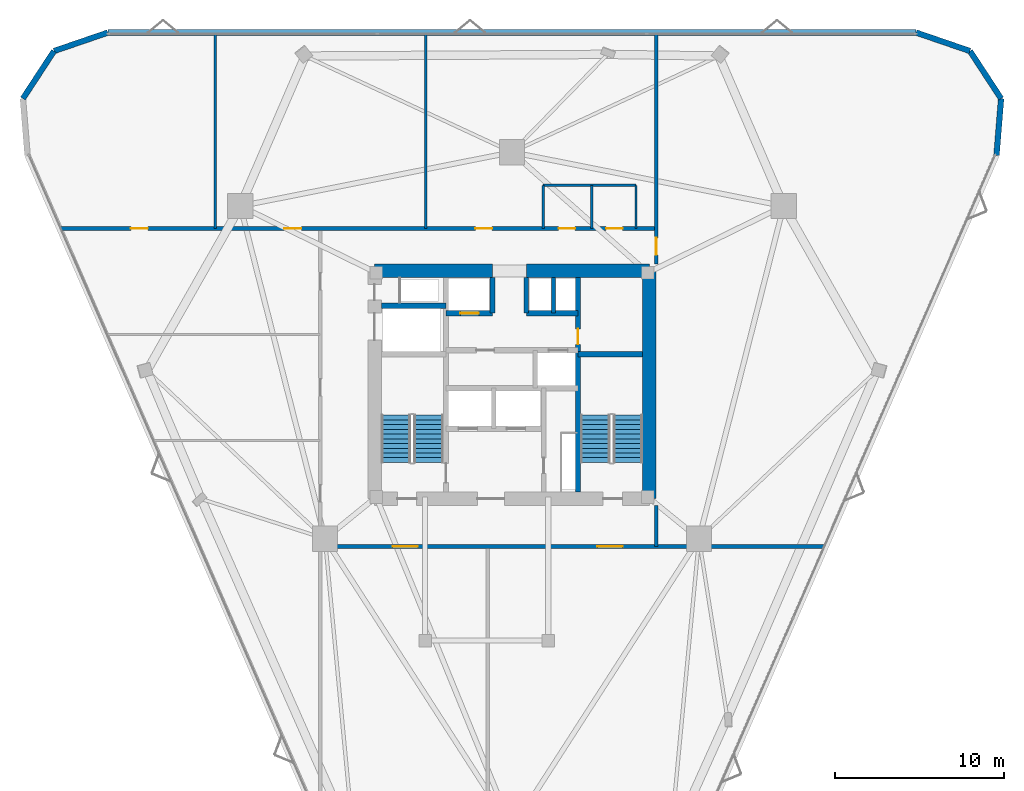
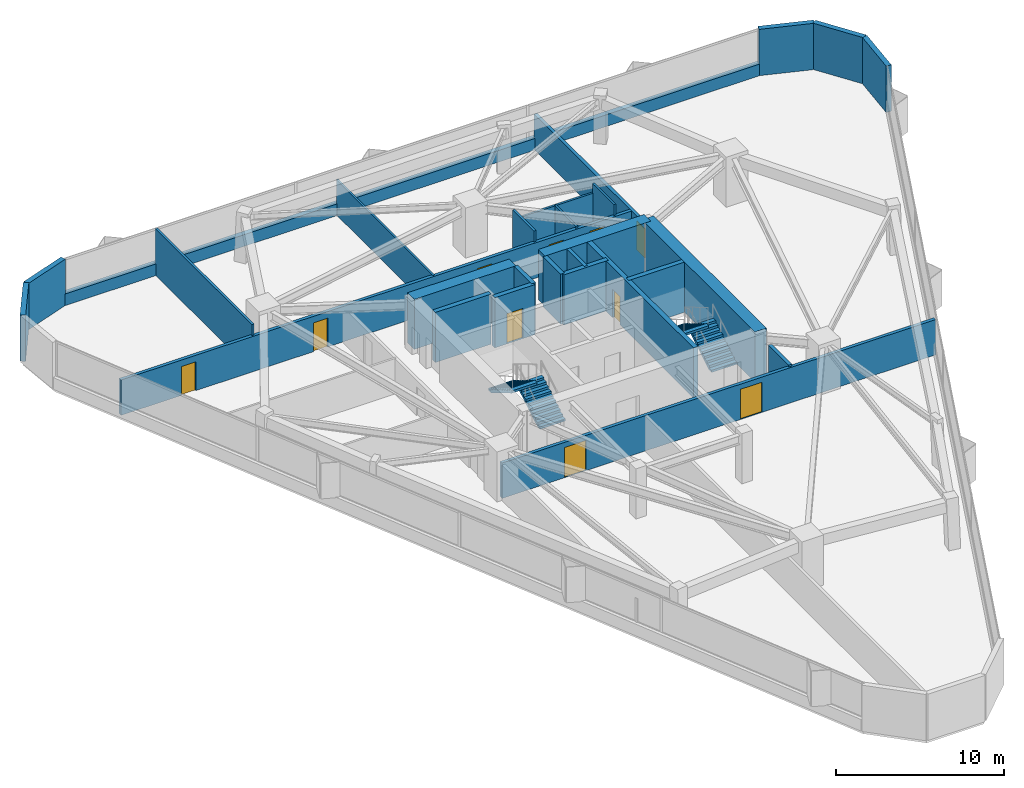
# One storey, part 13 of 14: 27 walls, 10 doors, 4 stair flights, 10 openings, 2 elements without a shape of their own.
"""IFC4 building model written with IfcOpenShell, lengths in metres."""

import ifcopenshell
import ifcopenshell.guid

model = None  # the IFC model being written
_history = None  # IfcOwnerHistory: only IFC2X3 demands one
_inside = {}  # id of a spatial element -> (the spatial element, [elements in it])
_under = {}  # id of a project, library or spatial element -> (it, [spatial elements below it])
_declared = {}  # id of a project -> (the project, [libraries it declares])
_typed = {}  # id of a type object -> (the type object, [elements of that type])
_made_of = {}  # id of a material, layer set ... -> (it, [elements and type objects made of it])


def new_model(schema):
    """Start an empty IFC model of exactly this schema.

    Asked for "IFC4X3", IfcOpenShell would pick the latest addendum, in which some entities
    have other attributes; the version numbers below select the first issue.
    IFC2X3 requires an IfcOwnerHistory on every rooted entity: one is made here for all.
    """
    global model, _history
    if schema == "IFC4X3":
        model = ifcopenshell.file(schema_version=(4, 3, 0, 0))
    else:
        model = ifcopenshell.file(schema=schema)
    _inside.clear()
    _under.clear()
    _declared.clear()
    _typed.clear()
    _made_of.clear()
    _history = None
    if model.schema == "IFC2X3":
        org = make("IfcOrganization", Name="unknown")
        user = make(
            "IfcPersonAndOrganization",
            ThePerson=make("IfcPerson", FamilyName="unknown"),
            TheOrganization=org,
        )
        app = make(
            "IfcApplication",
            ApplicationDeveloper=org,
            Version="unknown",
            ApplicationFullName="unknown",
            ApplicationIdentifier="unknown",
        )
        _history = make(
            "IfcOwnerHistory",
            OwningUser=user,
            OwningApplication=app,
            ChangeAction="ADDED",
            CreationDate=0,
        )
    return model


def make(cls, **values):
    """One entity of the class cls with the attributes given. An attribute that is None is left unset."""
    return model.create_entity(
        cls, **{name: value for name, value in values.items() if value is not None}
    )


def rooted(cls, **values):
    """An entity with a GlobalId (a new one), such as an element, a storey or a relation."""
    return make(cls, GlobalId=ifcopenshell.guid.new(), OwnerHistory=_history, **values)


def si_unit(unit_type, name, prefix=None):
    """IfcSIUnit, for example si_unit("LENGTHUNIT", "METRE", prefix="MILLI")."""
    return make("IfcSIUnit", UnitType=unit_type, Prefix=prefix, Name=name)


def assignment(units):
    """IfcUnitAssignment: the units of a project."""
    return None if units is None else make("IfcUnitAssignment", Units=units)


def point(xyz):
    """IfcCartesianPoint."""
    return None if xyz is None else make("IfcCartesianPoint", Coordinates=xyz)


def direction(xyz):
    """IfcDirection."""
    return None if xyz is None else make("IfcDirection", DirectionRatios=xyz)


def frame(location, z_axis=None, x_axis=None):
    """IfcAxis2Placement3D, a coordinate frame: its origin and axes. An axis left out is left unset."""
    return make(
        "IfcAxis2Placement3D",
        Location=point(location),
        Axis=direction(z_axis),
        RefDirection=direction(x_axis),
    )


def frame_2d(location, x_axis=None):
    """IfcAxis2Placement2D, a coordinate frame in the plane: its origin and x axis."""
    return make(
        "IfcAxis2Placement2D", Location=point(location), RefDirection=direction(x_axis)
    )


def origin():
    """The frame at (0, 0, 0) with its axes left unset."""
    return frame((0.0, 0.0, 0.0))


def place(relative_to, where):
    """IfcLocalPlacement: puts the frame where relative to a parent placement (None: the world)."""
    return make(
        "IfcLocalPlacement", PlacementRelTo=relative_to, RelativePlacement=where
    )


def context(
    kind, dimensions, precision=None, world=None, true_north=None, identifier=None
):
    """IfcGeometricRepresentationContext, for example the 3D "Model" context."""
    return make(
        "IfcGeometricRepresentationContext",
        ContextIdentifier=identifier,
        ContextType=kind,
        CoordinateSpaceDimension=dimensions,
        Precision=precision,
        WorldCoordinateSystem=world,
        TrueNorth=true_north,
    )


def subcontext(parent, identifier, kind, view, scale=None):
    """IfcGeometricRepresentationSubContext, for example "Body" below "Model"."""
    return make(
        "IfcGeometricRepresentationSubContext",
        ContextIdentifier=identifier,
        ContextType=kind,
        ParentContext=parent,
        TargetScale=scale,
        TargetView=view,
    )


def project(units=None, contexts=None):
    """IfcProject with its units and contexts."""
    return rooted(
        "IfcProject",
        Name="project",
        RepresentationContexts=contexts,
        UnitsInContext=assignment(units),
    )


def spatial(cls, under=None, at=None, **own):
    """A site, building, storey or space (cls), placed at a placement, below another one or the project."""
    s = rooted(cls, ObjectPlacement=at, **own)
    if under is not None:
        _under.setdefault(under.id(), (under, []))[1].append(s)
    return s


def polyline(points):
    """IfcPolyline through the points."""
    return make("IfcPolyline", Points=[point(p) for p in points])


def profile(cls, at=None, kind="AREA", **sizes):
    """A parametric profile (cls). Its sizes go by their IFC names, for example OverallWidth=200.0."""
    return make(cls, ProfileType=kind, Position=at, **sizes)


def rectangle(**sizes):
    """IfcRectangleProfileDef."""
    return profile("IfcRectangleProfileDef", **sizes)


def outline(outer, holes=None, kind="AREA"):
    """IfcArbitraryClosedProfileDef: a profile drawn as a closed curve; with holes, ...WithVoids."""
    if holes is None:
        return make("IfcArbitraryClosedProfileDef", ProfileType=kind, OuterCurve=outer)
    return make(
        "IfcArbitraryProfileDefWithVoids",
        ProfileType=kind,
        OuterCurve=outer,
        InnerCurves=holes,
    )


def extrude(swept, where, along, depth):
    """IfcExtrudedAreaSolid: the profile swept, set in the frame where, extruded along a direction by depth."""
    return make(
        "IfcExtrudedAreaSolid",
        SweptArea=swept,
        Position=where,
        ExtrudedDirection=direction(along),
        Depth=depth,
    )


def shape(context_of_items, identifier, shape_type, items):
    """IfcShapeRepresentation: the items that make up one representation, for example the "Body"."""
    return make(
        "IfcShapeRepresentation",
        ContextOfItems=context_of_items,
        RepresentationIdentifier=identifier,
        RepresentationType=shape_type,
        Items=items,
    )


def material(Name=None, Category=None):
    """IfcMaterial."""
    return make("IfcMaterial", Name=Name, Category=Category)


def layer(
    of_material, thickness, ventilated=None, Name=None, Category=None, Priority=None
):
    """IfcMaterialLayer: one layer of a wall or slab, of a material (None: an air gap)."""
    return make(
        "IfcMaterialLayer",
        Material=of_material,
        LayerThickness=thickness,
        IsVentilated=ventilated,
        Name=Name,
        Category=Category,
        Priority=Priority,
    )


def layer_set(layers, Name=None):
    """IfcMaterialLayerSet."""
    return make("IfcMaterialLayerSet", MaterialLayers=layers, LayerSetName=Name)


def made_of(thing, what):
    """Note that an element or type object is made of a material, layer set ...; save() writes the relation."""
    if what is not None:
        _made_of.setdefault(what.id(), (what, []))[1].append(thing)
    return thing


def type_object(cls, material=None, **own):
    """A type object (cls), such as IfcWallType, which elements share."""
    return made_of(rooted(cls, **own), material)


def element(
    cls,
    number,
    at=None,
    inside=None,
    cuts=None,
    type_object=None,
    material=None,
    context=None,
    identifier="Body",
    shape_type=None,
    held_by="IfcProductDefinitionShape",
    body=None,
    shapes=None,
    **own,
):
    """One element of the class cls, such as IfcWall. Its Tag is "e" and its number.

    at: its placement. inside: the storey or other place that contains it. cuts: it is an
    opening in that element (IfcRelVoidsElement). A single representation is given by context,
    identifier, shape_type and body (its items); several are given by shapes. held_by: the class
    of the entity that holds the representations. save() writes the other relations.
    """
    e = rooted(cls, Tag="e%d" % number, ObjectPlacement=at, **own)
    if body is not None:
        shapes = [shape(context, identifier, shape_type, body)]
    if shapes is not None:
        e.Representation = make(held_by, Representations=shapes)
    if inside is not None:
        _inside.setdefault(inside.id(), (inside, []))[1].append(e)
    if cuts is not None:
        rooted(
            "IfcRelVoidsElement", RelatingBuildingElement=cuts, RelatedOpeningElement=e
        )
    if type_object is not None:
        _typed.setdefault(type_object.id(), (type_object, []))[1].append(e)
    return made_of(e, material)


def fill(opening, filler):
    """IfcRelFillsElement: the door or window that sits in an opening."""
    return rooted(
        "IfcRelFillsElement",
        RelatingOpeningElement=opening,
        RelatedBuildingElement=filler,
    )


def aggregate(whole, parts):
    """IfcRelAggregates: a whole, such as a stair, and the parts it consists of."""
    return rooted("IfcRelAggregates", RelatingObject=whole, RelatedObjects=parts)


def save(model, path):
    """Write the relations noted so far, then the file.

    IfcRelAggregates (storeys below a building ...), IfcRelContainedInSpatialStructure (elements
    in a storey), IfcRelDefinesByType, IfcRelAssociatesMaterial and IfcRelDeclares: one each for
    every whole, place, type object, material and project.
    """
    for whole, parts in _under.values():
        aggregate(whole, parts)
    for where, things in _inside.values():
        rooted(
            "IfcRelContainedInSpatialStructure",
            RelatedElements=things,
            RelatingStructure=where,
        )
    for kind, things in _typed.values():
        rooted("IfcRelDefinesByType", RelatedObjects=things, RelatingType=kind)
    for what, things in _made_of.values():
        rooted("IfcRelAssociatesMaterial", RelatedObjects=things, RelatingMaterial=what)
    for by, libraries in _declared.values():
        rooted("IfcRelDeclares", RelatingContext=by, RelatedDefinitions=libraries)
    model.write(path)


model = new_model("IFC4")

# Units and contexts
model_context = context("Model", 3, precision=1e-05, world=origin(), true_north=direction((0.0, 1.0)))
body_context = subcontext(model_context, "Body", "Model", "MODEL_VIEW")
ifc_project = project(units=[si_unit("LENGTHUNIT", "METRE"), si_unit("AREAUNIT", "SQUARE_METRE"), si_unit("VOLUMEUNIT", "CUBIC_METRE"), si_unit("PLANEANGLEUNIT", "RADIAN"), si_unit("MASSUNIT", "GRAM", prefix="KILO")], contexts=[model_context])

# Site, building, storey
site_placement = place(None, origin())
site = spatial("IfcSite", under=ifc_project, at=site_placement, CompositionType="ELEMENT")
building_placement = place(site_placement, origin())
building = spatial("IfcBuilding", under=site, at=building_placement, Name="Talyreon Biosciences Tower", CompositionType="ELEMENT")
storey_placement = place(building_placement, frame((0.0, 0.0, 141.800048828125)))
storey = spatial("IfcBuildingStorey", under=building, at=storey_placement, Name="L37", CompositionType="ELEMENT", Elevation=141.800048828125)

# Walls
ifc_material_1 = material(Name="Concrete C50/60", Category="concrete")
ifc_layer_1 = layer(ifc_material_1, 0.219970703125)
ifc_layer_set_1 = layer_set([ifc_layer_1], Name="Concrete C50/60")
wall_type_1 = type_object("IfcWallType", Name="CoreShearWall_220", PredefinedType="SHEAR", material=ifc_layer_set_1)
wall_1_placement = place(storey_placement, frame((68.4599609375, 72.25, 0.0), z_axis=(0.0, 0.0, 1.0), x_axis=(0.0, 1.0, 0.0)))
element("IfcWall", 1, at=wall_1_placement, inside=storey, type_object=wall_type_1, Name="L37 Core Shaft Wall SWPHD", PredefinedType="SHEAR", context=body_context, shape_type="SweptSolid", body=[
    extrude(rectangle(XDim=2.10009765625, YDim=0.219970703125, at=frame_2d((1.050048828125, 0.0))), origin(), (0.0, 0.0, 1.0), 3.64990234375),
])
ifc_layer_2 = layer(ifc_material_1, 0.280029296875)
ifc_layer_set_2 = layer_set([ifc_layer_2], Name="Concrete C50/60")
wall_type_2 = type_object("IfcWallType", Name="CoreShearWall_280", PredefinedType="SHEAR", material=ifc_layer_set_2)
for number, where, z_axis, x_axis, name in (
    (2, (64.85009765625, 72.25, 0.0), (0.0, 0.0, 1.0), (0.0, 1.0, 0.0), "L37 Core Shaft Wall SWTHW"),
    (3, (66.85009765625, 72.25, 0.0), (0.0, 0.0, 1.0), (0.0, 1.0, 0.0), "L37 Core Shaft Wall SWTHE"),
):
    element("IfcWall", number, at=place(storey_placement, frame(where, z_axis=z_axis, x_axis=x_axis)), inside=storey, type_object=wall_type_2, Name=name, PredefinedType="SHEAR", context=body_context, shape_type="SweptSolid", body=[
        extrude(rectangle(XDim=2.10009765625, YDim=0.280029296875, at=frame_2d((1.050048828125, 0.0))), origin(), (0.0, 0.0, 1.0), 3.64990234375),
    ])

# Wall, opening, door
ifc_layer_3 = layer(ifc_material_1, 0.320068359375)
ifc_layer_set_3 = layer_set([ifc_layer_3], Name="Concrete C50/60")
wall_type_3 = type_object("IfcWallType", Name="CoreShearWall_320", PredefinedType="SHEAR", material=ifc_layer_set_3)
wall_2_placement = place(storey_placement, frame((69.909912109375, 61.64990234375, 0.0), z_axis=(0.0, 0.0, 1.0), x_axis=(0.0, 1.0, 0.0)))
wall_2 = element("IfcWall", 4, at=wall_2_placement, inside=storey, type_object=wall_type_3, Name="L37 Core Shaft Wall SW2W", PredefinedType="SHEAR", context=body_context, shape_type="SweptSolid", body=[
    extrude(rectangle(XDim=12.7001953125, YDim=0.320068359375, at=frame_2d((6.35009765625, 0.0))), origin(), (0.0, 0.0, 1.0), 3.64990234375),
])
opening_1_placement = place(wall_2_placement, frame((8.75, 0.0, 0.0)))
opening_1 = element("IfcOpeningElement", 5, at=opening_1_placement, cuts=wall_2, Name="Opening DR-L37-CSRV", PredefinedType="OPENING", context=body_context, shape_type="SweptSolid", body=[
    extrude(rectangle(XDim=0.919921875, YDim=2.050048828125, at=frame_2d((0.4599609375, 1.02490234375))), frame((0.0, 0.169921875, 0.0), z_axis=(0.0, -1.0, 0.0), x_axis=(1.0, 0.0, 0.0)), (0.0, 0.0, 1.0), 0.340087890625),
])
ifc_material_2 = material(Name="Painted steel fire-rated riser door", Category="steel")
door_type_1 = type_object("IfcDoorType", Name="RiserPlantAccessDoor_920x2050", OperationType="NOTDEFINED", PredefinedType="DOOR", material=ifc_material_2)
door_1_placement = place(opening_1_placement, origin())
door_1 = element("IfcDoor", 6, at=door_1_placement, inside=storey, type_object=door_type_1, Name="L37 Core Door DR-L37-CSRV", OperationType="SINGLE_SWING_RIGHT", OverallHeight=2.050048828125, OverallWidth=0.919921875, PredefinedType="DOOR", context=body_context, shape_type="SweptSolid", body=[
    extrude(rectangle(XDim=0.919921875, YDim=2.050048828125, at=frame_2d((0.4599609375, 1.02490234375))), frame((0.0, 0.02490234375, 0.0), z_axis=(0.0, -1.0, 0.0), x_axis=(1.0, 0.0, 0.0)), (0.0, 0.0, 1.0), 0.050048828125),
])
fill(opening_1, door_1)

# Walls
for number, where, z_axis, x_axis, name in (
    (7, (69.909912109375, 69.81005859375, 0.0), (0.0, 0.0, 1.0), (1.0, 0.0, 0.0), "L37 Core Shaft Wall SW2N"),
    (8, (58.25, 72.699951171875, 0.0), (0.0, 0.0, 1.0), (1.0, 0.0, 0.0), "L37 Core Shaft Wall SWGLN"),
):
    element("IfcWall", number, at=place(storey_placement, frame(where, z_axis=z_axis, x_axis=x_axis)), inside=storey, type_object=wall_type_3, Name=name, PredefinedType="SHEAR", context=body_context, shape_type="SweptSolid", body=[
        extrude(rectangle(XDim=3.840087890625, YDim=0.320068359375, at=frame_2d((1.919921875, 0.0))), origin(), (0.0, 0.0, 1.0), 3.64990234375),
    ])

# Wall, opening, door
wall_3_placement = place(storey_placement, frame((62.090087890625, 72.25, 0.0), z_axis=(0.0, 0.0, 1.0), x_axis=(1.0, 0.0, 0.0)))
wall_3 = element("IfcWall", 9, at=wall_3_placement, inside=storey, type_object=wall_type_3, Name="L37 Core Shaft Wall SWNPW", PredefinedType="SHEAR", context=body_context, shape_type="SweptSolid", body=[
    extrude(rectangle(XDim=2.760009765625, YDim=0.320068359375, at=frame_2d((1.3798828125, 0.0))), origin(), (0.0, 0.0, 1.0), 3.64990234375),
])
opening_2_placement = place(wall_3_placement, frame((0.85009765625, 0.0, 0.0)))
opening_2 = element("IfcOpeningElement", 10, at=opening_2_placement, cuts=wall_3, Name="Opening LD-L37-PM2", PredefinedType="OPENING", context=body_context, shape_type="SweptSolid", body=[
    extrude(rectangle(XDim=1.10009765625, YDim=2.199951171875, at=frame_2d((0.550048828125, 1.10009765625))), frame((0.0, 0.169921875, 0.0), z_axis=(0.0, -1.0, 0.0), x_axis=(1.0, 0.0, 0.0)), (0.0, 0.0, 1.0), 0.340087890625),
])
ifc_material_3 = material(Name="Brushed stainless-steel lift landing door", Category="steel")
door_type_2 = type_object("IfcDoorType", Name="LiftSlidingLandingDoor_1100x2200", OperationType="SLIDING_TO_LEFT", PredefinedType="DOOR", material=ifc_material_3)
door_2_placement = place(opening_2_placement, origin())
door_2 = element("IfcDoor", 11, at=door_2_placement, inside=storey, type_object=door_type_2, Name="L37 Core Door LD-L37-PM2", OperationType="SLIDING_TO_LEFT", OverallHeight=2.199951171875, OverallWidth=1.10009765625, PredefinedType="DOOR", context=body_context, shape_type="SweptSolid", body=[
    extrude(rectangle(XDim=1.10009765625, YDim=2.199951171875, at=frame_2d((0.550048828125, 1.10009765625))), frame((0.0, 0.02490234375, 0.0), z_axis=(0.0, -1.0, 0.0), x_axis=(1.0, 0.0, 0.0)), (0.0, 0.0, 1.0), 0.050048828125),
])
fill(opening_2, door_2)

# Walls
wall_4_placement = place(storey_placement, frame((66.85009765625, 72.25, 0.0), z_axis=(0.0, 0.0, 1.0), x_axis=(1.0, 0.0, 0.0)))
element("IfcWall", 12, at=wall_4_placement, inside=storey, type_object=wall_type_3, Name="L37 Core Shaft Wall SWNPE", PredefinedType="SHEAR", context=body_context, shape_type="SweptSolid", body=[
    extrude(rectangle(XDim=3.059814453125, YDim=0.320068359375, at=frame_2d((1.52978515625, 0.0))), origin(), (0.0, 0.0, 1.0), 3.64990234375),
])
ifc_material_4 = material(Name="Concrete C60/75", Category="concrete")
ifc_layer_4 = layer(ifc_material_4, 0.800048828125)
ifc_layer_set_4 = layer_set([ifc_layer_4], Name="Concrete C60/75")
wall_type_4 = type_object("IfcWallType", Name="CoreShearWall_800", PredefinedType="SHEAR", material=ifc_layer_set_4)
wall_5_placement = place(storey_placement, frame((74.14990234375, 61.25, 0.0), z_axis=(0.0, 0.0, 1.0), x_axis=(0.0, 1.0, 0.0)))
element("IfcWall", 13, at=wall_5_placement, inside=storey, type_object=wall_type_4, Name="L37 Core Shear Wall E", PredefinedType="SHEAR", context=body_context, shape_type="SweptSolid", body=[
    extrude(rectangle(XDim=13.5, YDim=0.800048828125, at=frame_2d((6.75, 0.0))), origin(), (0.0, 0.0, 1.0), 3.64990234375),
])
wall_6_placement = place(storey_placement, frame((74.14990234375, 74.75, 0.0), z_axis=(0.0, 0.0, 1.0), x_axis=(-1.0, 0.0, 0.0)))
element("IfcWall", 14, at=wall_6_placement, inside=storey, type_object=wall_type_4, Name="L37 Core Shear Wall NE", PredefinedType="SHEAR", context=body_context, shape_type="SweptSolid", body=[
    extrude(rectangle(XDim=7.2998046875, YDim=0.800048828125, at=frame_2d((3.64990234375, 0.0))), origin(), (0.0, 0.0, 1.0), 3.64990234375),
])
wall_7_placement = place(storey_placement, frame((64.85009765625, 74.75, 0.0), z_axis=(0.0, 0.0, 1.0), x_axis=(-1.0, 0.0, 0.0)))
element("IfcWall", 15, at=wall_7_placement, inside=storey, type_object=wall_type_4, Name="L37 Core Shear Wall NW", PredefinedType="SHEAR", context=body_context, shape_type="SweptSolid", body=[
    extrude(rectangle(XDim=7.0, YDim=0.800048828125, at=frame_2d((3.5, 0.0))), origin(), (0.0, 0.0, 1.0), 3.64990234375),
])

# Wall, openings, doors
ifc_material_5 = material(Name="Gypsum fireboard acoustic stud", Category="gypsum")
ifc_layer_5 = layer(ifc_material_5, 0.219970703125)
ifc_layer_set_5 = layer_set([ifc_layer_5], Name="Gypsum fireboard acoustic stud")
wall_type_5 = type_object("IfcWallType", Name="CorridorRatedPartition_220", PredefinedType="PARTITIONING", material=ifc_layer_set_5)
wall_8_placement = place(storey_placement, frame((39.260986328125, 77.27001953125, 0.0), z_axis=(0.0, 0.0, 1.0), x_axis=(1.0, 0.0, 0.0)))
wall_8 = element("IfcWall", 16, at=wall_8_placement, inside=storey, type_object=wall_type_5, Name="L37 Interior Wall IW-L37-COR-N", PredefinedType="PARTITIONING", context=body_context, shape_type="SweptSolid", body=[
    extrude(rectangle(XDim=35.2890625, YDim=0.219970703125, at=frame_2d((17.64453125, 0.0))), origin(), (0.0, 0.0, 1.0), 2.574951171875),
])
opening_3_placement = place(wall_8_placement, frame((29.4990234375, 0.0, 0.0)))
opening_3 = element("IfcOpeningElement", 17, at=opening_3_placement, cuts=wall_8, Name="Opening DR-L37-WC", PredefinedType="OPENING", context=body_context, shape_type="SweptSolid", body=[
    extrude(rectangle(XDim=0.97998046875, YDim=2.10009765625, at=frame_2d((0.489990234375, 1.050048828125))), frame((0.0, 0.119873046875, 0.0), z_axis=(0.0, -1.0, 0.0), x_axis=(1.0, 0.0, 0.0)), (0.0, 0.0, 1.0), 0.239990234375),
])
opening_4_placement = place(wall_8_placement, frame((32.323974609375, 0.0, 0.0)))
opening_4 = element("IfcOpeningElement", 18, at=opening_4_placement, cuts=wall_8, Name="Opening DR-L37-AWC", PredefinedType="OPENING", context=body_context, shape_type="SweptSolid", body=[
    extrude(rectangle(XDim=0.97998046875, YDim=2.10009765625, at=frame_2d((0.489990234375, 1.050048828125))), frame((0.0, 0.119873046875, 0.0), z_axis=(0.0, -1.0, 0.0), x_axis=(1.0, 0.0, 0.0)), (0.0, 0.0, 1.0), 0.239990234375),
])
opening_5_placement = place(wall_8_placement, frame((4.15087890625, 0.0, 0.0)))
opening_5 = element("IfcOpeningElement", 19, at=opening_5_placement, cuts=wall_8, Name="Opening DR-L37-N1A", PredefinedType="OPENING", context=body_context, shape_type="SweptSolid", body=[
    extrude(rectangle(XDim=1.0, YDim=2.10009765625, at=frame_2d((0.5, 1.050048828125))), frame((0.0, 0.119873046875, 0.0), z_axis=(0.0, -1.0, 0.0), x_axis=(1.0, 0.0, 0.0)), (0.0, 0.0, 1.0), 0.239990234375),
])
opening_6_placement = place(wall_8_placement, frame((13.248046875, 0.0, 0.0)))
opening_6 = element("IfcOpeningElement", 20, at=opening_6_placement, cuts=wall_8, Name="Opening DR-L37-N2A", PredefinedType="OPENING", context=body_context, shape_type="SweptSolid", body=[
    extrude(rectangle(XDim=1.0, YDim=2.10009765625, at=frame_2d((0.5, 1.050048828125))), frame((0.0, 0.119873046875, 0.0), z_axis=(0.0, -1.0, 0.0), x_axis=(1.0, 0.0, 0.0)), (0.0, 0.0, 1.0), 0.239990234375),
])
opening_7_placement = place(wall_8_placement, frame((24.56494140625, 0.0, 0.0)))
opening_7 = element("IfcOpeningElement", 21, at=opening_7_placement, cuts=wall_8, Name="Opening DR-L37-N3A", PredefinedType="OPENING", context=body_context, shape_type="SweptSolid", body=[
    extrude(rectangle(XDim=1.0, YDim=2.10009765625, at=frame_2d((0.5, 1.050048828125))), frame((0.0, 0.119873046875, 0.0), z_axis=(0.0, -1.0, 0.0), x_axis=(1.0, 0.0, 0.0)), (0.0, 0.0, 1.0), 0.239990234375),
])
ifc_material_6 = material(Name="Laminate moisture-resistant door", Category="wood")
door_type_3 = type_object("IfcDoorType", Name="AccessibleToiletDoor_980x2100", OperationType="NOTDEFINED", PredefinedType="DOOR", material=ifc_material_6)
door_3_placement = place(opening_3_placement, origin())
door_3 = element("IfcDoor", 22, at=door_3_placement, inside=storey, type_object=door_type_3, Name="L37 Interior Door DR-L37-WC", OperationType="SINGLE_SWING_LEFT", OverallHeight=2.10009765625, OverallWidth=0.97998046875, PredefinedType="DOOR", context=body_context, shape_type="SweptSolid", body=[
    extrude(rectangle(XDim=0.97998046875, YDim=2.10009765625, at=frame_2d((0.489990234375, 1.050048828125))), frame((0.0, 0.02490234375, 0.0), z_axis=(0.0, -1.0, 0.0), x_axis=(1.0, 0.0, 0.0)), (0.0, 0.0, 1.0), 0.050048828125),
])
fill(opening_3, door_3)
door_4_placement = place(opening_4_placement, origin())
door_4 = element("IfcDoor", 23, at=door_4_placement, inside=storey, type_object=door_type_3, Name="L37 Interior Door DR-L37-AWC", OperationType="SINGLE_SWING_LEFT", OverallHeight=2.10009765625, OverallWidth=0.97998046875, PredefinedType="DOOR", context=body_context, shape_type="SweptSolid", body=[
    extrude(rectangle(XDim=0.97998046875, YDim=2.10009765625, at=frame_2d((0.489990234375, 1.050048828125))), frame((0.0, 0.02490234375, 0.0), z_axis=(0.0, -1.0, 0.0), x_axis=(1.0, 0.0, 0.0)), (0.0, 0.0, 1.0), 0.050048828125),
])
fill(opening_4, door_4)
ifc_material_7 = material(Name="Acoustic oak veneer office door", Category="wood")
door_type_4 = type_object("IfcDoorType", Name="WriteupOfficeDoor_1000x2100", OperationType="NOTDEFINED", PredefinedType="DOOR", material=ifc_material_7)
door_5_placement = place(opening_5_placement, origin())
door_5 = element("IfcDoor", 24, at=door_5_placement, inside=storey, type_object=door_type_4, Name="L37 Interior Door DR-L37-N1A", OperationType="SINGLE_SWING_RIGHT", OverallHeight=2.10009765625, OverallWidth=1.0, PredefinedType="DOOR", context=body_context, shape_type="SweptSolid", body=[
    extrude(rectangle(XDim=1.0, YDim=2.10009765625, at=frame_2d((0.5, 1.050048828125))), frame((0.0, 0.02490234375, 0.0), z_axis=(0.0, -1.0, 0.0), x_axis=(1.0, 0.0, 0.0)), (0.0, 0.0, 1.0), 0.050048828125),
])
fill(opening_5, door_5)
door_6_placement = place(opening_6_placement, origin())
door_6 = element("IfcDoor", 25, at=door_6_placement, inside=storey, type_object=door_type_4, Name="L37 Interior Door DR-L37-N2A", OperationType="SINGLE_SWING_LEFT", OverallHeight=2.10009765625, OverallWidth=1.0, PredefinedType="DOOR", context=body_context, shape_type="SweptSolid", body=[
    extrude(rectangle(XDim=1.0, YDim=2.10009765625, at=frame_2d((0.5, 1.050048828125))), frame((0.0, 0.02490234375, 0.0), z_axis=(0.0, -1.0, 0.0), x_axis=(1.0, 0.0, 0.0)), (0.0, 0.0, 1.0), 0.050048828125),
])
fill(opening_6, door_6)
door_7_placement = place(opening_7_placement, origin())
door_7 = element("IfcDoor", 26, at=door_7_placement, inside=storey, type_object=door_type_4, Name="L37 Interior Door DR-L37-N3A", OperationType="SINGLE_SWING_LEFT", OverallHeight=2.10009765625, OverallWidth=1.0, PredefinedType="DOOR", context=body_context, shape_type="SweptSolid", body=[
    extrude(rectangle(XDim=1.0, YDim=2.10009765625, at=frame_2d((0.5, 1.050048828125))), frame((0.0, 0.02490234375, 0.0), z_axis=(0.0, -1.0, 0.0), x_axis=(1.0, 0.0, 0.0)), (0.0, 0.0, 1.0), 0.050048828125),
])
fill(opening_7, door_7)

wall_9_placement = place(storey_placement, frame((54.6298828125, 58.419921875, 0.0), z_axis=(0.0, 0.0, 1.0), x_axis=(1.0, 0.0, 0.0)))
wall_9 = element("IfcWall", 27, at=wall_9_placement, inside=storey, type_object=wall_type_5, Name="L37 Interior Wall IW-L37-COR-S", PredefinedType="PARTITIONING", context=body_context, shape_type="SweptSolid", body=[
    extrude(rectangle(XDim=29.88525390625, YDim=0.219970703125, at=frame_2d((14.942626953125, 0.0))), origin(), (0.0, 0.0, 1.0), 2.574951171875),
])
opening_8_placement = place(wall_9_placement, frame((4.2958984375, 0.0, 0.0)))
opening_8 = element("IfcOpeningElement", 28, at=opening_8_placement, cuts=wall_9, Name="Opening DR-L37-S1A", PredefinedType="OPENING", context=body_context, shape_type="SweptSolid", body=[
    extrude(rectangle(XDim=1.5, YDim=2.199951171875, at=frame_2d((0.75, 1.10009765625))), frame((0.0, 0.119873046875, 0.0), z_axis=(0.0, -1.0, 0.0), x_axis=(1.0, 0.0, 0.0)), (0.0, 0.0, 1.0), 0.239990234375),
])
opening_9_placement = place(wall_9_placement, frame((16.426025390625, 0.0, 0.0)))
opening_9 = element("IfcOpeningElement", 29, at=opening_9_placement, cuts=wall_9, Name="Opening DR-L37-S2A", PredefinedType="OPENING", context=body_context, shape_type="SweptSolid", body=[
    extrude(rectangle(XDim=1.5, YDim=2.199951171875, at=frame_2d((0.75, 1.10009765625))), frame((0.0, 0.119873046875, 0.0), z_axis=(0.0, -1.0, 0.0), x_axis=(1.0, 0.0, 0.0)), (0.0, 0.0, 1.0), 0.239990234375),
])
ifc_material_8 = material(Name="Vision-panel steel laboratory fire door", Category="steel")
door_type_5 = type_object("IfcDoorType", Name="WetLabDoubleLeafDoor_1500x2200", OperationType="DOUBLE_DOOR_SINGLE_SWING", PredefinedType="DOOR", material=ifc_material_8)
door_8_placement = place(opening_8_placement, origin())
door_8 = element("IfcDoor", 30, at=door_8_placement, inside=storey, type_object=door_type_5, Name="L37 Interior Door DR-L37-S1A", OperationType="DOUBLE_DOOR_SINGLE_SWING", OverallHeight=2.199951171875, OverallWidth=1.5, PredefinedType="DOOR", context=body_context, shape_type="SweptSolid", body=[
    extrude(rectangle(XDim=1.5, YDim=2.199951171875, at=frame_2d((0.75, 1.10009765625))), frame((0.0, 0.02490234375, 0.0), z_axis=(0.0, -1.0, 0.0), x_axis=(1.0, 0.0, 0.0)), (0.0, 0.0, 1.0), 0.050048828125),
])
fill(opening_8, door_8)
door_9_placement = place(opening_9_placement, origin())
door_9 = element("IfcDoor", 31, at=door_9_placement, inside=storey, type_object=door_type_5, Name="L37 Interior Door DR-L37-S2A", OperationType="DOUBLE_DOOR_SINGLE_SWING", OverallHeight=2.199951171875, OverallWidth=1.5, PredefinedType="DOOR", context=body_context, shape_type="SweptSolid", body=[
    extrude(rectangle(XDim=1.5, YDim=2.199951171875, at=frame_2d((0.75, 1.10009765625))), frame((0.0, 0.02490234375, 0.0), z_axis=(0.0, -1.0, 0.0), x_axis=(1.0, 0.0, 0.0)), (0.0, 0.0, 1.0), 0.050048828125),
])
fill(opening_9, door_9)

# Wall, opening, door
wall_10_placement = place(storey_placement, frame((74.550048828125, 75.14990234375, 0.0), z_axis=(0.0, 0.0, 1.0), x_axis=(0.0, 1.0, 0.0)))
wall_10 = element("IfcWall", 32, at=wall_10_placement, inside=storey, type_object=wall_type_5, Name="L37 Interior Wall IW-L37-ECAP-N", PredefinedType="PARTITIONING", context=body_context, shape_type="SweptSolid", body=[
    extrude(rectangle(XDim=13.6513671875, YDim=0.219970703125, at=frame_2d((6.82568359375, 0.0))), origin(), (0.0, 0.0, 1.0), 2.574951171875),
])
opening_10_placement = place(wall_10_placement, frame((0.56005859375, 0.0, 0.0)))
opening_10 = element("IfcOpeningElement", 33, at=opening_10_placement, cuts=wall_10, Name="Opening DR-L37-E1A", PredefinedType="OPENING", context=body_context, shape_type="SweptSolid", body=[
    extrude(rectangle(XDim=1.0, YDim=2.10009765625, at=frame_2d((0.5, 1.050048828125))), frame((0.0, 0.119873046875, 0.0), z_axis=(0.0, -1.0, 0.0), x_axis=(1.0, 0.0, 0.0)), (0.0, 0.0, 1.0), 0.239990234375),
])
door_10_placement = place(opening_10_placement, origin())
door_10 = element("IfcDoor", 34, at=door_10_placement, inside=storey, type_object=door_type_4, Name="L37 Interior Door DR-L37-E1A", OperationType="SINGLE_SWING_LEFT", OverallHeight=2.10009765625, OverallWidth=1.0, PredefinedType="DOOR", context=body_context, shape_type="SweptSolid", body=[
    extrude(rectangle(XDim=1.0, YDim=2.10009765625, at=frame_2d((0.5, 1.050048828125))), frame((0.0, 0.02490234375, 0.0), z_axis=(0.0, -1.0, 0.0), x_axis=(1.0, 0.0, 0.0)), (0.0, 0.0, 1.0), 0.050048828125),
])
fill(opening_10, door_10)

# Walls
wall_11_placement = place(storey_placement, frame((74.550048828125, 58.419921875, 0.0), z_axis=(0.0, 0.0, 1.0), x_axis=(0.0, 1.0, 0.0)))
element("IfcWall", 35, at=wall_11_placement, inside=storey, type_object=wall_type_5, Name="L37 Interior Wall IW-L37-ECAP-S", PredefinedType="PARTITIONING", context=body_context, shape_type="SweptSolid", body=[
    extrude(rectangle(XDim=2.43017578125, YDim=0.219970703125, at=frame_2d((1.215087890625, 0.0))), origin(), (0.0, 0.0, 1.0), 2.704833984375),
])
ifc_material_9 = material(Name="Gypsum acoustic stud partition", Category="gypsum")
ifc_layer_6 = layer(ifc_material_9, 0.159912109375)
ifc_layer_set_6 = layer_set([ifc_layer_6], Name="Gypsum acoustic stud partition")
wall_type_6 = type_object("IfcWallType", Name="LabSeparationPartition_160", PredefinedType="PARTITIONING", material=ifc_layer_set_6)
wall_12_placement = place(storey_placement, frame((48.4140625, 77.27001953125, 0.0), z_axis=(0.0, 0.0, 1.0), x_axis=(0.0, 1.0, 0.0)))
element("IfcWall", 36, at=wall_12_placement, inside=storey, type_object=wall_type_6, Name="L37 Interior Wall IW-L37-NDIV1", PredefinedType="PARTITIONING", context=body_context, shape_type="SweptSolid", body=[
    extrude(rectangle(XDim=11.53125, YDim=0.159912109375, at=frame_2d((5.765625, 0.0))), origin(), (0.0, 0.0, 1.0), 3.375),
])
ifc_layer_7 = layer(ifc_material_9, 0.1298828125)
ifc_layer_set_7 = layer_set([ifc_layer_7], Name="Gypsum acoustic stud partition")
wall_type_7 = type_object("IfcWallType", Name="OfficeWriteupPartition_130", PredefinedType="PARTITIONING", material=ifc_layer_set_7)
wall_13_placement = place(storey_placement, frame((60.882080078125, 77.27001953125, 0.0), z_axis=(0.0, 0.0, 1.0), x_axis=(0.0, 1.0, 0.0)))
element("IfcWall", 37, at=wall_13_placement, inside=storey, type_object=wall_type_7, Name="L37 Interior Wall IW-L37-NDIV2", PredefinedType="PARTITIONING", context=body_context, shape_type="SweptSolid", body=[
    extrude(rectangle(XDim=11.53125, YDim=0.1298828125, at=frame_2d((5.765625, 0.0))), origin(), (0.0, 0.0, 1.0), 2.574951171875),
])
ifc_material_10 = material(Name="Precast concrete C45/55", Category="concrete")
ifc_layer_8 = layer(ifc_material_10, 0.340087890625)
ifc_layer_set_8 = layer_set([ifc_layer_8], Name="Precast concrete C45/55")
wall_type_8 = type_object("IfcWallType", Name="PrecastConcreteSpandrelWall_340", PredefinedType="STANDARD", material=ifc_layer_set_8)
for number, where, z_axis, x_axis, name in (
    (38, (37.003173828125, 84.969482421875, 0.0), (0.0, 0.0, 1.0), (0.547783529201, 0.836620108015, 0.0), "L37 Rounded-Corner Concrete Pier 02"),
    (39, (38.85107421875, 87.791748046875, 0.0), (0.0, 0.0, 1.0), (0.945912321016, 0.324422380469, 0.0), "L37 Rounded-Corner Concrete Pier 03"),
):
    element("IfcWall", number, at=place(storey_placement, frame(where, z_axis=z_axis, x_axis=x_axis)), inside=storey, type_object=wall_type_8, Name=name, PredefinedType="STANDARD", context=body_context, shape_type="SweptSolid", body=[
        extrude(rectangle(XDim=3.37353515625, YDim=0.340087890625, at=frame_2d((1.686767578125, 0.0))), origin(), (0.0, 0.0, 1.0), 3.375),
    ])
wall_14_placement = place(storey_placement, frame((42.042236328125, 88.88623046875, 0.0), z_axis=(0.0, 0.0, 1.0), x_axis=(1.0, 0.0, 0.0)))
element("IfcWall", 40, at=wall_14_placement, inside=storey, type_object=wall_type_8, Name="L37 Expressed Concrete Sill Wall 04", PredefinedType="STANDARD", context=body_context, shape_type="SweptSolid", body=[
    extrude(rectangle(XDim=47.91552734375, YDim=0.340087890625, at=frame_2d((23.957763671875, 0.0))), origin(), (0.0, 0.0, 1.0), 0.849853515625),
])
for number, where, z_axis, x_axis, name in (
    (41, (89.957763671875, 88.88623046875, 0.0), (0.0, 0.0, 1.0), (0.945912321016, -0.324422380469, 0.0), "L37 Rounded-Corner Concrete Pier 05"),
    (42, (93.14892578125, 87.791748046875, 0.0), (0.0, 0.0, 1.0), (0.547783529201, -0.836620108015, 0.0), "L37 Rounded-Corner Concrete Pier 06"),
):
    element("IfcWall", number, at=place(storey_placement, frame(where, z_axis=z_axis, x_axis=x_axis)), inside=storey, type_object=wall_type_8, Name=name, PredefinedType="STANDARD", context=body_context, shape_type="SweptSolid", body=[
        extrude(rectangle(XDim=3.37353515625, YDim=0.340087890625, at=frame_2d((1.686767578125, 0.0))), origin(), (0.0, 0.0, 1.0), 3.375),
    ])
wall_15_placement = place(storey_placement, frame((94.996826171875, 84.969482421875, 0.0), z_axis=(0.0, 0.0, 1.0), x_axis=(-0.080901359233, -0.996722112765, 0.0)))
element("IfcWall", 43, at=wall_15_placement, inside=storey, type_object=wall_type_8, Name="L37 Rounded-Corner Concrete Pier 07", PredefinedType="STANDARD", context=body_context, shape_type="SweptSolid", body=[
    extrude(rectangle(XDim=3.373779296875, YDim=0.340087890625, at=frame_2d((1.68701171875, 0.0))), origin(), (0.0, 0.0, 1.0), 3.375),
])
ifc_material_11 = material(Name="Moisture-resistant cement-board stud", Category="gypsum")
ifc_layer_9 = layer(ifc_material_11, 0.14501953125)
ifc_layer_set_9 = layer_set([ifc_layer_9], Name="Moisture-resistant cement-board stud")
wall_type_9 = type_object("IfcWallType", Name="WetRoomPartition_145", PredefinedType="PARTITIONING", material=ifc_layer_set_9)
wall_16_placement = place(storey_placement, frame((67.85009765625, 77.27001953125, 0.0), z_axis=(0.0, 0.0, 1.0), x_axis=(0.0, 1.0, 0.0)))
element("IfcWall", 44, at=wall_16_placement, inside=storey, type_object=wall_type_9, Name="L37 Interior Wall IW-L37-WCL", PredefinedType="PARTITIONING", context=body_context, shape_type="SweptSolid", body=[
    extrude(rectangle(XDim=2.550048828125, YDim=0.14501953125, at=frame_2d((1.27490234375, 0.0))), origin(), (0.0, 0.0, 1.0), 3.375),
])
wall_17_placement = place(storey_placement, frame((70.72509765625, 77.27001953125, 0.0), z_axis=(0.0, 0.0, 1.0), x_axis=(0.0, 1.0, 0.0)))
element("IfcWall", 45, at=wall_17_placement, inside=storey, type_object=wall_type_9, Name="L37 Interior Wall IW-L37-WCM", PredefinedType="PARTITIONING", context=body_context, shape_type="SweptSolid", body=[
    extrude(rectangle(XDim=2.550048828125, YDim=0.14501953125, at=frame_2d((1.27490234375, 0.0))), origin(), (0.0, 0.0, 1.0), 2.704833984375),
])
wall_18_placement = place(storey_placement, frame((73.35009765625, 77.27001953125, 0.0), z_axis=(0.0, 0.0, 1.0), x_axis=(0.0, 1.0, 0.0)))
element("IfcWall", 46, at=wall_18_placement, inside=storey, type_object=wall_type_9, Name="L37 Interior Wall IW-L37-WCR", PredefinedType="PARTITIONING", context=body_context, shape_type="SweptSolid", body=[
    extrude(rectangle(XDim=2.550048828125, YDim=0.14501953125, at=frame_2d((1.27490234375, 0.0))), origin(), (0.0, 0.0, 1.0), 3.375),
])
wall_19_placement = place(storey_placement, frame((67.85009765625, 79.820068359375, 0.0), z_axis=(0.0, 0.0, 1.0), x_axis=(1.0, 0.0, 0.0)))
element("IfcWall", 47, at=wall_19_placement, inside=storey, type_object=wall_type_9, Name="L37 Interior Wall IW-L37-WCT", PredefinedType="PARTITIONING", context=body_context, shape_type="SweptSolid", body=[
    extrude(rectangle(XDim=5.5, YDim=0.14501953125, at=frame_2d((2.75, 0.0))), origin(), (0.0, 0.0, 1.0), 2.704833984375),
])

# Stair, stair flights
ifc_material_12 = material(Name="Concrete C40/50", Category="concrete")
stair_type = type_object("IfcStairType", Name="DoglegEscapeStair_3650", PredefinedType="HALF_TURN_STAIR", material=ifc_material_12)
stair_1_placement = place(storey_placement, origin())
stair_1 = element("IfcStair", 48, at=stair_1_placement, inside=storey, type_object=stair_type, Name="L37 Core Escape Stair 1", PredefinedType="HALF_TURN_STAIR")
stair_flight_type = type_object("IfcStairFlightType", Name="PrecastStairFlight_3650", PredefinedType="STRAIGHT", material=ifc_material_12)
stair_flight_1_placement = place(storey_placement, frame((61.06005859375, 63.39990234375, 0.0), z_axis=(0.0, 0.0, 1.0), x_axis=(0.0, 1.0, 0.0)))
stair_flight_1 = element("IfcStairFlight", 49, at=stair_flight_1_placement, type_object=stair_flight_type, Name="ST-1 flight 1", NumberOfRisers=11, NumberOfTreads=10, PredefinedType="STRAIGHT", RiserHeight=0.165909091, TreadLength=0.28, context=body_context, shape_type="SweptSolid", body=[
    extrude(outline(polyline([(0.0, 0.0), (0.0, 0.166015625), (0.280029296875, 0.166015625), (0.280029296875, 0.331787109375), (0.56005859375, 0.331787109375), (0.56005859375, 0.497802734375), (0.840087890625, 0.497802734375), (0.840087890625, 0.66357421875), (1.1201171875, 0.66357421875), (1.1201171875, 0.82958984375), (1.39990234375, 0.82958984375), (1.39990234375, 0.995361328125), (1.679931640625, 0.995361328125), (1.679931640625, 1.161376953125), (1.9599609375, 1.161376953125), (1.9599609375, 1.327392578125), (2.239990234375, 1.327392578125), (2.239990234375, 1.4931640625), (2.52001953125, 1.4931640625), (2.52001953125, 1.6591796875), (2.800048828125, 1.6591796875), (2.800048828125, 1.824951171875), (2.800048828125, 1.48486328125), (0.2939453125, 0.0), (0.0, 0.0)])), frame((0.0, 0.8701171875, 0.0), z_axis=(0.0, -1.0, 0.0), x_axis=(1.0, 0.0, 0.0)), (0.0, 0.0, 1.0), 1.739990234375),
])
stair_flight_2_placement = place(storey_placement, frame((59.1201171875, 66.199951171875, 1.824951171875), z_axis=(0.0, 0.0, 1.0), x_axis=(0.0, -1.0, 0.0)))
stair_flight_2 = element("IfcStairFlight", 50, at=stair_flight_2_placement, type_object=stair_flight_type, Name="ST-1 flight 2", NumberOfRisers=11, NumberOfTreads=10, PredefinedType="STRAIGHT", RiserHeight=0.165909091, TreadLength=0.28, context=body_context, shape_type="SweptSolid", body=[
    extrude(outline(polyline([(0.0, 0.0), (0.0, 0.166015625), (0.280029296875, 0.166015625), (0.280029296875, 0.331787109375), (0.56005859375, 0.331787109375), (0.56005859375, 0.497802734375), (0.840087890625, 0.497802734375), (0.840087890625, 0.66357421875), (1.1201171875, 0.66357421875), (1.1201171875, 0.82958984375), (1.39990234375, 0.82958984375), (1.39990234375, 0.995361328125), (1.679931640625, 0.995361328125), (1.679931640625, 1.161376953125), (1.9599609375, 1.161376953125), (1.9599609375, 1.327392578125), (2.239990234375, 1.327392578125), (2.239990234375, 1.4931640625), (2.52001953125, 1.4931640625), (2.52001953125, 1.6591796875), (2.800048828125, 1.6591796875), (2.800048828125, 1.824951171875), (2.800048828125, 1.48486328125), (0.2939453125, 0.0), (0.0, 0.0)])), frame((0.0, 0.8701171875, 0.0), z_axis=(0.0, -1.0, 0.0), x_axis=(1.0, 0.0, 0.0)), (0.0, 0.0, 1.0), 1.739990234375),
])
aggregate(stair_1, [stair_flight_1, stair_flight_2])

stair_2_placement = place(storey_placement, origin())
stair_2 = element("IfcStair", 51, at=stair_2_placement, inside=storey, type_object=stair_type, Name="L37 Core Escape Stair 2", PredefinedType="HALF_TURN_STAIR")
stair_flight_3_placement = place(storey_placement, frame((72.8798828125, 63.39990234375, 0.0), z_axis=(0.0, 0.0, 1.0), x_axis=(0.0, 1.0, 0.0)))
stair_flight_3 = element("IfcStairFlight", 52, at=stair_flight_3_placement, type_object=stair_flight_type, Name="ST-2 flight 1", NumberOfRisers=11, NumberOfTreads=10, PredefinedType="STRAIGHT", RiserHeight=0.165909091, TreadLength=0.28, context=body_context, shape_type="SweptSolid", body=[
    extrude(outline(polyline([(0.0, 0.0), (0.0, 0.166015625), (0.280029296875, 0.166015625), (0.280029296875, 0.331787109375), (0.56005859375, 0.331787109375), (0.56005859375, 0.497802734375), (0.840087890625, 0.497802734375), (0.840087890625, 0.66357421875), (1.1201171875, 0.66357421875), (1.1201171875, 0.82958984375), (1.39990234375, 0.82958984375), (1.39990234375, 0.995361328125), (1.679931640625, 0.995361328125), (1.679931640625, 1.161376953125), (1.9599609375, 1.161376953125), (1.9599609375, 1.327392578125), (2.239990234375, 1.327392578125), (2.239990234375, 1.4931640625), (2.52001953125, 1.4931640625), (2.52001953125, 1.6591796875), (2.800048828125, 1.6591796875), (2.800048828125, 1.824951171875), (2.800048828125, 1.48486328125), (0.2939453125, 0.0), (0.0, 0.0)])), frame((0.0, 0.8701171875, 0.0), z_axis=(0.0, -1.0, 0.0), x_axis=(1.0, 0.0, 0.0)), (0.0, 0.0, 1.0), 1.739990234375),
])
stair_flight_4_placement = place(storey_placement, frame((70.93994140625, 66.199951171875, 1.824951171875), z_axis=(0.0, 0.0, 1.0), x_axis=(0.0, -1.0, 0.0)))
stair_flight_4 = element("IfcStairFlight", 53, at=stair_flight_4_placement, type_object=stair_flight_type, Name="ST-2 flight 2", NumberOfRisers=11, NumberOfTreads=10, PredefinedType="STRAIGHT", RiserHeight=0.165909091, TreadLength=0.28, context=body_context, shape_type="SweptSolid", body=[
    extrude(outline(polyline([(0.0, 0.0), (0.0, 0.166015625), (0.280029296875, 0.166015625), (0.280029296875, 0.331787109375), (0.56005859375, 0.331787109375), (0.56005859375, 0.497802734375), (0.840087890625, 0.497802734375), (0.840087890625, 0.66357421875), (1.1201171875, 0.66357421875), (1.1201171875, 0.82958984375), (1.39990234375, 0.82958984375), (1.39990234375, 0.995361328125), (1.679931640625, 0.995361328125), (1.679931640625, 1.161376953125), (1.9599609375, 1.161376953125), (1.9599609375, 1.327392578125), (2.239990234375, 1.327392578125), (2.239990234375, 1.4931640625), (2.52001953125, 1.4931640625), (2.52001953125, 1.6591796875), (2.800048828125, 1.6591796875), (2.800048828125, 1.824951171875), (2.800048828125, 1.48486328125), (0.2939453125, 0.0), (0.0, 0.0)])), frame((0.0, 0.8701171875, 0.0), z_axis=(0.0, -1.0, 0.0), x_axis=(1.0, 0.0, 0.0)), (0.0, 0.0, 1.0), 1.739990234375),
])
aggregate(stair_2, [stair_flight_3, stair_flight_4])

save(model, "model.ifc")
